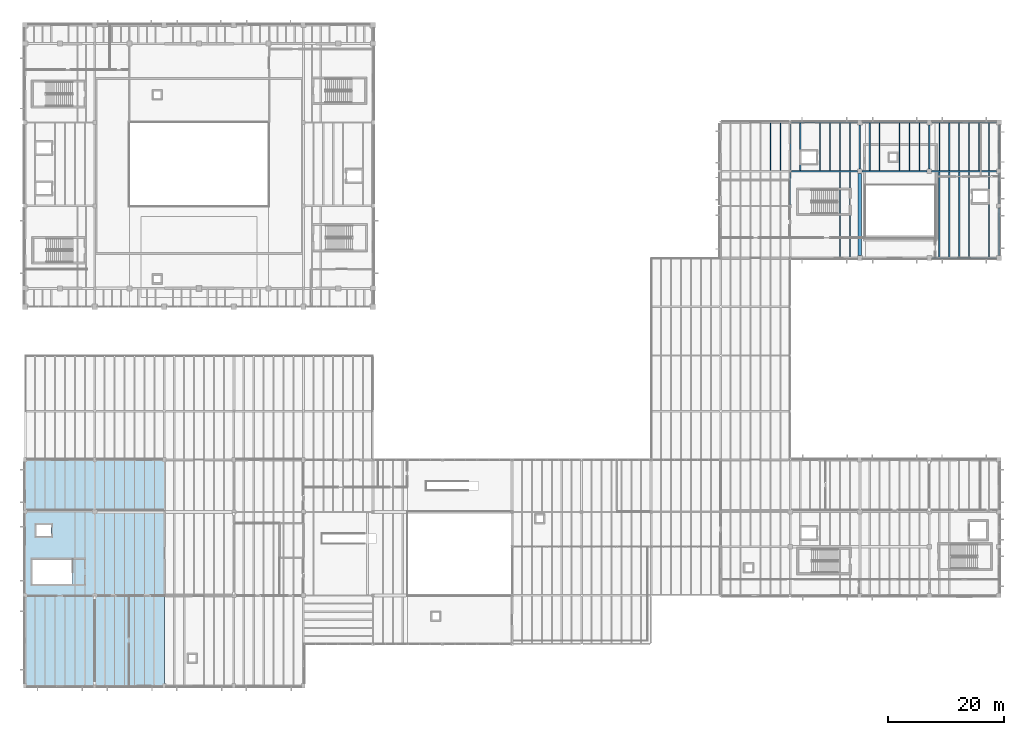
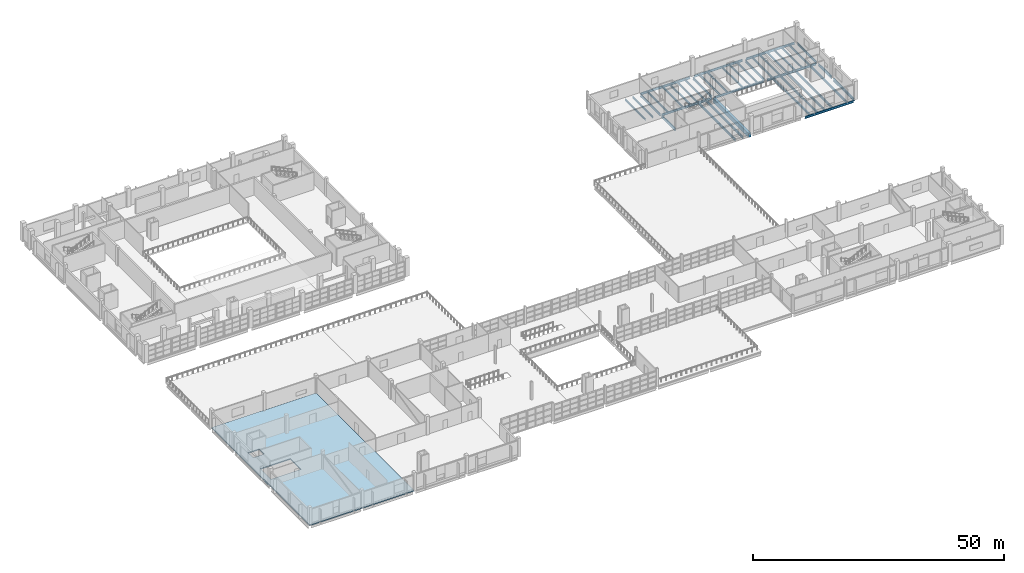
# One storey, part 46 of 78: 40 beams, 1 slab.
"""IFC4 building model written with IfcOpenShell, lengths in metres."""

from ifc_helpers import new_model, si_unit, direction, frame, origin, origin_2d, place, context, subcontext, project, spatial, polyline, rectangle, i_section, outline, extrude, material, layer, layer_set, material_profile, profile_set, type_object, element, save


model = new_model("IFC4")

# Units and contexts
model_context = context("Model", 3, precision=1e-05, world=origin(), true_north=direction((0.0, 1.0)))
body_context = subcontext(model_context, "Body", "Model", "MODEL_VIEW")
ifc_project = project(units=[si_unit("LENGTHUNIT", "METRE"), si_unit("AREAUNIT", "SQUARE_METRE"), si_unit("VOLUMEUNIT", "CUBIC_METRE"), si_unit("PLANEANGLEUNIT", "RADIAN"), si_unit("MASSUNIT", "GRAM", prefix="KILO")], contexts=[model_context])

# Site, building, storey
site_placement = place(None, origin())
site = spatial("IfcSite", under=ifc_project, at=site_placement, CompositionType="ELEMENT")
building_placement = place(site_placement, origin())
building = spatial("IfcBuilding", under=site, at=building_placement, Name="Kelmvaro Bay Concert Hall", CompositionType="ELEMENT")
storey_placement = place(building_placement, frame((0.0, 0.0, 9.300048828125)))
storey = spatial("IfcBuildingStorey", under=building, at=storey_placement, Name="L02", CompositionType="ELEMENT", Elevation=9.300048828125)

# Beams
ifc_material_1 = material(Name="Steel ASTM A992 Grade 50", Category="steel")
ifc_material_profile_1 = material_profile(ifc_material_1, i_section(OverallWidth=0.2099609375, OverallDepth=0.535888671875, WebThickness=0.010986328125, FlangeThickness=0.017333984375, at=origin_2d()), Name="W21X68")
ifc_profile_set_1 = profile_set([ifc_material_profile_1], Name="Steel ASTM A992 Grade 50")
beam_type_1 = type_object("IfcBeamType", Name="Crystal Roof Tie Girder W21x68", PredefinedType="BEAM", material=ifc_profile_set_1)
beam_1_placement = place(storey_placement, frame((156.425048828125, 73.800048828125, -0.528076171875), z_axis=(1.0, 0.0, 0.0), x_axis=(0.0, 1.0, 0.0)))
element("IfcBeam", 1, at=beam_1_placement, inside=storey, type_object=beam_type_1, Name="L02 Girder BM-L02-EW-0768", PredefinedType="BEAM", context=body_context, shape_type="SweptSolid", body=[
    extrude(i_section(OverallWidth=0.2099609375, OverallDepth=0.535888671875, WebThickness=0.010986328125, FlangeThickness=0.017333984375, at=origin_2d()), origin(), (0.0, 0.0, 1.0), 11.14990234375),
])
beam_2_placement = place(storey_placement, frame((132.200439453125, 88.800048828125, -0.528076171875), z_axis=(1.0, 0.0, 0.0), x_axis=(0.0, 1.0, 0.0)))
element("IfcBeam", 2, at=beam_2_placement, inside=storey, type_object=beam_type_1, Name="L02 Girder BM-L02-EW-0773", PredefinedType="BEAM", context=body_context, shape_type="SweptSolid", body=[
    extrude(i_section(OverallWidth=0.2099609375, OverallDepth=0.535888671875, WebThickness=0.010986328125, FlangeThickness=0.017333984375, at=origin_2d()), origin(), (0.0, 0.0, 1.0), 11.424560546875),
])
for number, where, z_axis, x_axis, name in (
    (3, (144.375, 88.800048828125, -0.528076171875), (1.0, 0.0, 0.0), (0.0, 1.0, 0.0), "L02 Girder BM-L02-EW-0774"),
    (4, (156.375, 88.800048828125, -0.528076171875), (1.0, 0.0, 0.0), (0.0, 1.0, 0.0), "L02 Girder BM-L02-EW-0775"),
):
    element("IfcBeam", number, at=place(storey_placement, frame(where, z_axis=z_axis, x_axis=x_axis)), inside=storey, type_object=beam_type_1, Name=name, PredefinedType="BEAM", context=body_context, shape_type="SweptSolid", body=[
        extrude(i_section(OverallWidth=0.2099609375, OverallDepth=0.535888671875, WebThickness=0.010986328125, FlangeThickness=0.017333984375, at=origin_2d()), origin(), (0.0, 0.0, 1.0), 11.25),
    ])
beam_3_placement = place(storey_placement, frame((132.200439453125, 97.199951171875, -0.528076171875), z_axis=(1.0, 0.0, 0.0), x_axis=(0.0, 1.0, 0.0)))
element("IfcBeam", 5, at=beam_3_placement, inside=storey, type_object=beam_type_1, Name="L02 Girder BM-L02-EW-0779", PredefinedType="BEAM", context=body_context, shape_type="SweptSolid", body=[
    extrude(i_section(OverallWidth=0.2099609375, OverallDepth=0.535888671875, WebThickness=0.010986328125, FlangeThickness=0.017333984375, at=origin_2d()), origin(), (0.0, 0.0, 1.0), 11.37451171875),
])
for number, where, z_axis, x_axis, name in (
    (6, (144.425048828125, 97.199951171875, -0.528076171875), (1.0, 0.0, 0.0), (0.0, 1.0, 0.0), "L02 Girder BM-L02-EW-0780"),
    (7, (156.425048828125, 97.199951171875, -0.528076171875), (1.0, 0.0, 0.0), (0.0, 1.0, 0.0), "L02 Girder BM-L02-EW-0781"),
):
    element("IfcBeam", number, at=place(storey_placement, frame(where, z_axis=z_axis, x_axis=x_axis)), inside=storey, type_object=beam_type_1, Name=name, PredefinedType="BEAM", context=body_context, shape_type="SweptSolid", body=[
        extrude(i_section(OverallWidth=0.2099609375, OverallDepth=0.535888671875, WebThickness=0.010986328125, FlangeThickness=0.017333984375, at=origin_2d()), origin(), (0.0, 0.0, 1.0), 11.14990234375),
    ])
ifc_material_2 = material(Name="Steel ASTM A992 Grade 50", Category="steel")
ifc_material_profile_2 = material_profile(ifc_material_2, i_section(OverallWidth=0.323974609375, OverallDepth=0.611083984375, WebThickness=0.0126953125, FlangeThickness=0.01904296875, at=origin_2d()), Name="W24X104")
ifc_profile_set_2 = profile_set([ifc_material_profile_2], Name="Steel ASTM A992 Grade 50")
beam_type_2 = type_object("IfcBeamType", Name="Foyer Frame Girder W24x104", PredefinedType="BEAM", material=ifc_profile_set_2)
beam_4_placement = place(storey_placement, frame((168.0, 74.22509765625, -0.5654296875), z_axis=(0.0, 1.0, 0.0), x_axis=(-1.0, 0.0, 0.0)))
element("IfcBeam", 8, at=beam_4_placement, inside=storey, type_object=beam_type_2, Name="L02 Girder BM-L02-NS-0888", PredefinedType="BEAM", context=body_context, shape_type="SweptSolid", body=[
    extrude(i_section(OverallWidth=0.323974609375, OverallDepth=0.611083984375, WebThickness=0.0126953125, FlangeThickness=0.01904296875, at=origin_2d()), origin(), (0.0, 0.0, 1.0), 8.199951171875),
])
ifc_material_3 = material(Name="Concrete C40/50", Category="concrete")
ifc_material_profile_3 = material_profile(ifc_material_3, rectangle(XDim=0.60009765625, YDim=0.949951171875, at=origin_2d()), Name="RC-BM-600X950")
ifc_profile_set_3 = profile_set([ifc_material_profile_3], Name="Concrete C40/50")
beam_type_3 = type_object("IfcBeamType", Name="Hall Primary Girder RC600x950", PredefinedType="BEAM", material=ifc_profile_set_3)
beam_5_placement = place(storey_placement, frame((144.0, 74.22509765625, -0.735107421875), z_axis=(0.0, 1.0, 0.0), x_axis=(-1.0, 0.0, 0.0)))
element("IfcBeam", 9, at=beam_5_placement, inside=storey, type_object=beam_type_3, Name="L02 Girder BM-L02-NS-0879", PredefinedType="BEAM", context=body_context, shape_type="SweptSolid", body=[
    extrude(rectangle(XDim=0.60009765625, YDim=0.949951171875, at=origin_2d()), origin(), (0.0, 0.0, 1.0), 14.199951171875),
])
ifc_material_4 = material(Name="Steel ASTM A992 Grade 50", Category="steel")
ifc_material_profile_4 = material_profile(ifc_material_4, i_section(OverallWidth=0.2099609375, OverallDepth=0.535888671875, WebThickness=0.010986328125, FlangeThickness=0.017333984375, at=origin_2d()), Name="W21X68")
ifc_profile_set_4 = profile_set([ifc_material_profile_4], Name="Steel ASTM A992 Grade 50")
beam_type_4 = type_object("IfcBeamType", Name="Heavy Floor Joist W21x68", PredefinedType="JOIST", material=ifc_profile_set_4)
for number, where, z_axis, x_axis, name in (
    (10, (140.5712890625, 73.905029296875, -0.528076171875), (0.0, 1.0, 0.0), (-1.0, 0.0, 0.0), "L02 Floor Joist JST-L02-1244"),
    (11, (142.28564453125, 73.905029296875, -0.528076171875), (0.0, 1.0, 0.0), (-1.0, 0.0, 0.0), "L02 Floor Joist JST-L02-1245"),
    (12, (157.71435546875, 73.905029296875, -0.528076171875), (0.0, 1.0, 0.0), (-1.0, 0.0, 0.0), "L02 Floor Joist JST-L02-1246"),
    (13, (159.4287109375, 73.905029296875, -0.528076171875), (0.0, 1.0, 0.0), (-1.0, 0.0, 0.0), "L02 Floor Joist JST-L02-1247"),
    (14, (161.142822265625, 73.905029296875, -0.528076171875), (0.0, 1.0, 0.0), (-1.0, 0.0, 0.0), "L02 Floor Joist JST-L02-1248"),
    (15, (162.857177734375, 73.905029296875, -0.528076171875), (0.0, 1.0, 0.0), (-1.0, 0.0, 0.0), "L02 Floor Joist JST-L02-1249"),
    (16, (166.28564453125, 73.905029296875, -0.528076171875), (0.0, 1.0, 0.0), (-1.0, 0.0, 0.0), "L02 Floor Joist JST-L02-1250"),
):
    element("IfcBeam", number, at=place(storey_placement, frame(where, z_axis=z_axis, x_axis=x_axis)), inside=storey, type_object=beam_type_4, Name=name, PredefinedType="JOIST", context=body_context, shape_type="SweptSolid", body=[
        extrude(i_section(OverallWidth=0.2099609375, OverallDepth=0.535888671875, WebThickness=0.010986328125, FlangeThickness=0.017333984375, at=origin_2d()), origin(), (0.0, 0.0, 1.0), 14.7900390625),
    ])
ifc_material_5 = material(Name="Steel ASTM A992 Grade 50", Category="steel")
ifc_material_profile_5 = material_profile(ifc_material_5, i_section(OverallWidth=0.19091796875, OverallDepth=0.45703125, WebThickness=0.009033203125, FlangeThickness=0.014404296875, at=origin_2d()), Name="W18X50")
ifc_profile_set_5 = profile_set([ifc_material_profile_5], Name="Steel ASTM A992 Grade 50")
beam_type_5 = type_object("IfcBeamType", Name="Standard Composite Floor Joist W18x50", PredefinedType="JOIST", material=ifc_profile_set_5)
for number, where, z_axis, x_axis, name in (
    (17, (128.5712890625, 88.905029296875, -0.488525390625), (0.0, 1.0, 0.0), (-1.0, 0.0, 0.0), "L02 Floor Joist JST-L02-1271"),
    (18, (130.28564453125, 88.905029296875, -0.488525390625), (0.0, 1.0, 0.0), (-1.0, 0.0, 0.0), "L02 Floor Joist JST-L02-1272"),
    (19, (133.71435546875, 88.905029296875, -0.488525390625), (0.0, 1.0, 0.0), (-1.0, 0.0, 0.0), "L02 Floor Joist JST-L02-1273"),
    (20, (137.142822265625, 88.905029296875, -0.488525390625), (0.0, 1.0, 0.0), (-1.0, 0.0, 0.0), "L02 Floor Joist JST-L02-1274"),
    (21, (138.857177734375, 88.905029296875, -0.488525390625), (0.0, 1.0, 0.0), (-1.0, 0.0, 0.0), "L02 Floor Joist JST-L02-1275"),
    (22, (140.5712890625, 88.905029296875, -0.488525390625), (0.0, 1.0, 0.0), (-1.0, 0.0, 0.0), "L02 Floor Joist JST-L02-1276"),
    (23, (142.28564453125, 88.905029296875, -0.488525390625), (0.0, 1.0, 0.0), (-1.0, 0.0, 0.0), "L02 Floor Joist JST-L02-1277"),
    (24, (145.71435546875, 88.905029296875, -0.488525390625), (0.0, 1.0, 0.0), (-1.0, 0.0, 0.0), "L02 Floor Joist JST-L02-1278"),
    (25, (147.4287109375, 88.905029296875, -0.488525390625), (0.0, 1.0, 0.0), (-1.0, 0.0, 0.0), "L02 Floor Joist JST-L02-1279"),
    (26, (150.857177734375, 88.905029296875, -0.488525390625), (0.0, 1.0, 0.0), (-1.0, 0.0, 0.0), "L02 Floor Joist JST-L02-1280"),
    (27, (152.5712890625, 88.905029296875, -0.488525390625), (0.0, 1.0, 0.0), (-1.0, 0.0, 0.0), "L02 Floor Joist JST-L02-1281"),
    (28, (154.28564453125, 88.905029296875, -0.488525390625), (0.0, 1.0, 0.0), (-1.0, 0.0, 0.0), "L02 Floor Joist JST-L02-1282"),
    (29, (157.71435546875, 88.905029296875, -0.488525390625), (0.0, 1.0, 0.0), (-1.0, 0.0, 0.0), "L02 Floor Joist JST-L02-1283"),
    (30, (159.4287109375, 88.905029296875, -0.488525390625), (0.0, 1.0, 0.0), (-1.0, 0.0, 0.0), "L02 Floor Joist JST-L02-1284"),
    (31, (161.142822265625, 88.905029296875, -0.488525390625), (0.0, 1.0, 0.0), (-1.0, 0.0, 0.0), "L02 Floor Joist JST-L02-1285"),
    (32, (162.857177734375, 88.905029296875, -0.488525390625), (0.0, 1.0, 0.0), (-1.0, 0.0, 0.0), "L02 Floor Joist JST-L02-1286"),
    (33, (164.5712890625, 88.905029296875, -0.488525390625), (0.0, 1.0, 0.0), (-1.0, 0.0, 0.0), "L02 Floor Joist JST-L02-1287"),
    (34, (166.28564453125, 88.905029296875, -0.488525390625), (0.0, 1.0, 0.0), (-1.0, 0.0, 0.0), "L02 Floor Joist JST-L02-1288"),
):
    element("IfcBeam", number, at=place(storey_placement, frame(where, z_axis=z_axis, x_axis=x_axis)), inside=storey, type_object=beam_type_5, Name=name, PredefinedType="JOIST", context=body_context, shape_type="SweptSolid", body=[
        extrude(i_section(OverallWidth=0.19091796875, OverallDepth=0.45703125, WebThickness=0.009033203125, FlangeThickness=0.014404296875, at=origin_2d()), origin(), (0.0, 0.0, 1.0), 8.18994140625),
    ])
ifc_material_6 = material(Name="Steel ASTM A992 Grade 50", Category="steel")
ifc_material_profile_6 = material_profile(ifc_material_6, i_section(OverallWidth=0.22900390625, OverallDepth=0.612060546875, WebThickness=0.011962890625, FlangeThickness=0.01953125, at=origin_2d()), Name="W24X84")
ifc_profile_set_6 = profile_set([ifc_material_profile_6], Name="Steel ASTM A992 Grade 50")
beam_type_6 = type_object("IfcBeamType", Name="Terrace Edge Girder W24x84", PredefinedType="BEAM", material=ifc_profile_set_6)
beam_6_placement = place(storey_placement, frame((132.0, 82.9970703125, -0.566162109375), z_axis=(0.0, 1.0, 0.0), x_axis=(-1.0, 0.0, 0.0)))
element("IfcBeam", 35, at=beam_6_placement, inside=storey, type_object=beam_type_6, Name="L02 Girder BM-L02-NS-0875", PredefinedType="BEAM", context=body_context, shape_type="SweptSolid", body=[
    extrude(i_section(OverallWidth=0.22900390625, OverallDepth=0.612060546875, WebThickness=0.011962890625, FlangeThickness=0.01953125, at=origin_2d()), origin(), (0.0, 0.0, 1.0), 5.60595703125),
])
beam_7_placement = place(storey_placement, frame((132.0, 88.9970703125, -0.566162109375), z_axis=(0.0, 1.0, 0.0), x_axis=(-1.0, 0.0, 0.0)))
element("IfcBeam", 36, at=beam_7_placement, inside=storey, type_object=beam_type_6, Name="L02 Girder BM-L02-NS-0876", PredefinedType="BEAM", context=body_context, shape_type="SweptSolid", body=[
    extrude(i_section(OverallWidth=0.22900390625, OverallDepth=0.612060546875, WebThickness=0.011962890625, FlangeThickness=0.01953125, at=origin_2d()), origin(), (0.0, 0.0, 1.0), 8.00341796875),
])
for number, where, z_axis, x_axis, name in (
    (37, (144.0, 89.175048828125, -0.566162109375), (0.0, 1.0, 0.0), (-1.0, 0.0, 0.0), "L02 Girder BM-L02-NS-0880"),
    (38, (156.0, 89.175048828125, -0.566162109375), (0.0, 1.0, 0.0), (-1.0, 0.0, 0.0), "L02 Girder BM-L02-NS-0884"),
):
    element("IfcBeam", number, at=place(storey_placement, frame(where, z_axis=z_axis, x_axis=x_axis)), inside=storey, type_object=beam_type_6, Name=name, PredefinedType="BEAM", context=body_context, shape_type="SweptSolid", body=[
        extrude(i_section(OverallWidth=0.22900390625, OverallDepth=0.612060546875, WebThickness=0.011962890625, FlangeThickness=0.01953125, at=origin_2d()), origin(), (0.0, 0.0, 1.0), 7.599853515625),
    ])
beam_8_placement = place(storey_placement, frame((168.0, 83.175048828125, -0.566162109375), z_axis=(0.0, 1.0, 0.0), x_axis=(-1.0, 0.0, 0.0)))
element("IfcBeam", 39, at=beam_8_placement, inside=storey, type_object=beam_type_6, Name="L02 Girder BM-L02-NS-0889", PredefinedType="BEAM", context=body_context, shape_type="SweptSolid", body=[
    extrude(i_section(OverallWidth=0.22900390625, OverallDepth=0.612060546875, WebThickness=0.011962890625, FlangeThickness=0.01953125, at=origin_2d()), origin(), (0.0, 0.0, 1.0), 5.25),
])
beam_9_placement = place(storey_placement, frame((168.0, 89.175048828125, -0.566162109375), z_axis=(0.0, 1.0, 0.0), x_axis=(-1.0, 0.0, 0.0)))
element("IfcBeam", 40, at=beam_9_placement, inside=storey, type_object=beam_type_6, Name="L02 Girder BM-L02-NS-0890", PredefinedType="BEAM", context=body_context, shape_type="SweptSolid", body=[
    extrude(i_section(OverallWidth=0.22900390625, OverallDepth=0.612060546875, WebThickness=0.011962890625, FlangeThickness=0.01953125, at=origin_2d()), origin(), (0.0, 0.0, 1.0), 7.599853515625),
])

# Slab
ifc_material_7 = material(Name="Concrete C40/50", Category="concrete")
ifc_layer = layer(ifc_material_7, 0.25)
ifc_layer_set = layer_set([ifc_layer], Name="Concrete C40/50")
slab_type = type_object("IfcSlabType", Name="Suspended Concourse Floor Slab 250", PredefinedType="FLOOR", material=ifc_layer_set)
slab_placement = place(storey_placement, frame((0.0, 0.0, -0.25)))
element("IfcSlab", 41, at=slab_placement, inside=storey, type_object=slab_type, Name="L02 Structural Slab V3-A", PredefinedType="FLOOR", context=body_context, shape_type="SweptSolid", body=[
    extrude(outline(polyline([(0.0, 0.0), (24.0, 0.0), (24.0, 39.0), (0.0, 39.0), (0.0, 0.0)]), holes=[polyline([(1.25048828125, 17.550537109375), (8.1494140625, 17.550537109375), (8.1494140625, 21.79931640625), (1.25048828125, 21.79931640625), (1.25048828125, 17.550537109375)]), polyline([(1.925048828125, 25.800048828125), (4.47509765625, 25.800048828125), (4.47509765625, 27.800048828125), (1.925048828125, 27.800048828125), (1.925048828125, 25.800048828125)])]), origin(), (0.0, 0.0, 1.0), 0.25),
])

save(model, "model.ifc")
